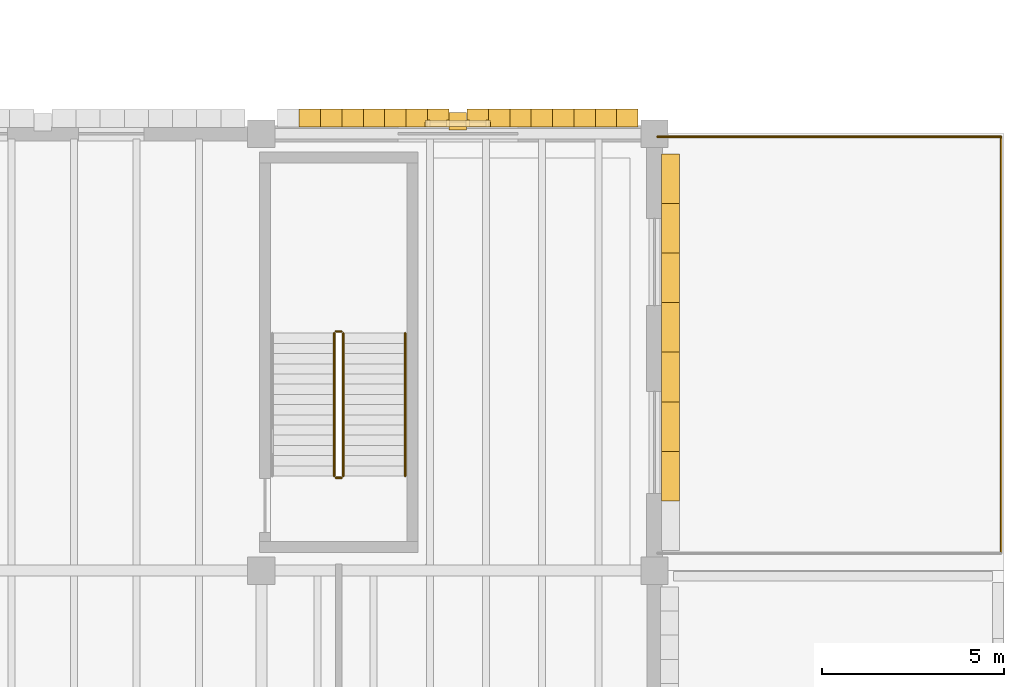
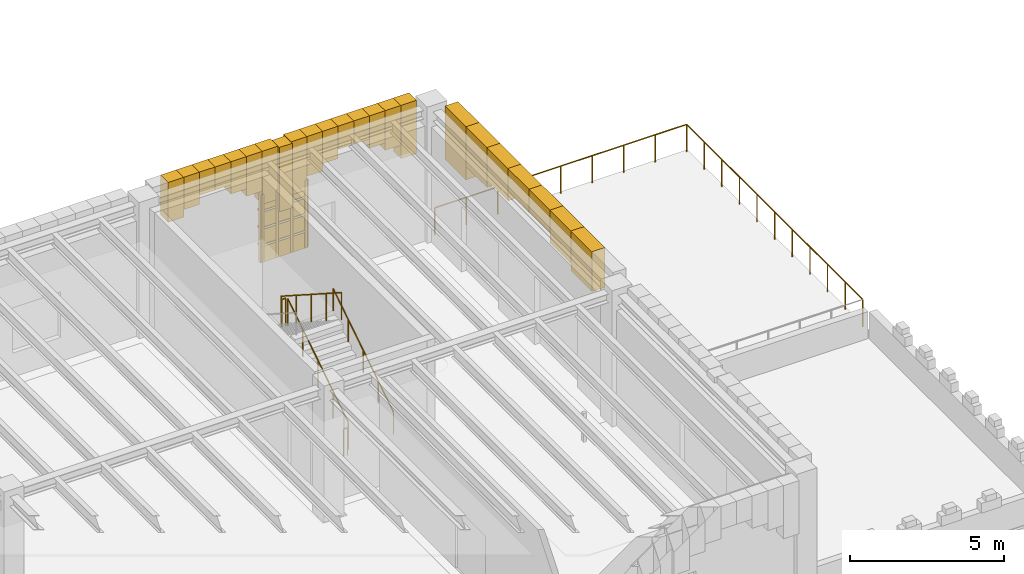
# One storey, part 96 of 103: 30 coverings, 7 railings, 1 shading device.
"""IFC4 building model written with IfcOpenShell, lengths in metres."""

from ifc_helpers import new_model, si_unit, direction, frame, origin, origin_2d, place, context, subcontext, project, spatial, polyline, rectangle, circle, outline, extrude, material, layer, layer_set, type_object, element, save


model = new_model("IFC4")

# Units and contexts
model_context = context("Model", 3, precision=1e-05, world=origin(), true_north=direction((0.0, 1.0)))
body_context = subcontext(model_context, "Body", "Model", "MODEL_VIEW")
ifc_project = project(units=[si_unit("LENGTHUNIT", "METRE"), si_unit("AREAUNIT", "SQUARE_METRE"), si_unit("VOLUMEUNIT", "CUBIC_METRE"), si_unit("PLANEANGLEUNIT", "RADIAN"), si_unit("MASSUNIT", "GRAM", prefix="KILO")], contexts=[model_context])

# Site, building, storey
site_placement = place(None, origin())
site = spatial("IfcSite", under=ifc_project, at=site_placement, CompositionType="ELEMENT")
building_placement = place(site_placement, origin())
building = spatial("IfcBuilding", under=site, at=building_placement, Name="Zlatogorsky Bluff Art Gallery", CompositionType="ELEMENT")
storey_placement = place(building_placement, origin())
storey = spatial("IfcBuildingStorey", under=building, at=storey_placement, Name="L00", CompositionType="ELEMENT", Elevation=0.0)

# Coverings
ifc_material_1 = material(Name="Honed Red Agra-Tone Quartzitic Sandstone", Category="masonry")
ifc_layer = layer(ifc_material_1, 0.1201171875)
ifc_layer_set = layer_set([ifc_layer], Name="Carved Sandstone Cladding CLD-02")
covering_type = type_object("IfcCoveringType", Name="Carved Sandstone Cladding CLD-02", PredefinedType="CLADDING", material=ifc_layer_set)
covering_1_placement = place(storey_placement, frame((0.0, 0.0, 2.81005859375)))
element("IfcCovering", 1, at=covering_1_placement, inside=storey, type_object=covering_type, Name="Mughal blind-arch sandstone pilaster L00.N.13.4", PredefinedType="CLADDING", context=body_context, shape_type="SweptSolid", body=[
    extrude(outline(polyline([(161.159912109375, 50.5), (161.639892578125, 50.5), (161.639892578125, 50.97998046875), (161.159912109375, 50.97998046875), (161.159912109375, 50.5)])), origin(), (0.0, 0.0, 1.0), 2.550048828125),
])
covering_2_placement = place(storey_placement, frame((0.0, 0.0, 3.78369140625)))
element("IfcCovering", 2, at=covering_2_placement, inside=storey, type_object=covering_type, Name="Pointed Mughal arch voussoir spandrel WARCH-L00-N-13-04-A.2", PredefinedType="CLADDING", context=body_context, shape_type="SweptSolid", body=[
    extrude(outline(polyline([(157.03759765625, 50.590087890625), (157.625, 50.590087890625), (157.625, 51.080078125), (157.03759765625, 51.080078125), (157.03759765625, 50.590087890625)])), origin(), (0.0, 0.0, 1.0), 1.576416015625),
])
covering_3_placement = place(storey_placement, frame((0.0, 0.0, 4.07666015625)))
element("IfcCovering", 3, at=covering_3_placement, inside=storey, type_object=covering_type, Name="Pointed Mughal arch voussoir spandrel WARCH-L00-N-13-04-A.3", PredefinedType="CLADDING", context=body_context, shape_type="SweptSolid", body=[
    extrude(outline(polyline([(157.625, 50.590087890625), (158.21240234375, 50.590087890625), (158.21240234375, 51.080078125), (157.625, 51.080078125), (157.625, 50.590087890625)])), origin(), (0.0, 0.0, 1.0), 1.283447265625),
])
covering_4_placement = place(storey_placement, frame((0.0, 0.0, 4.4453125)))
element("IfcCovering", 4, at=covering_4_placement, inside=storey, type_object=covering_type, Name="Pointed Mughal arch voussoir spandrel WARCH-L00-N-13-04-A.4", PredefinedType="CLADDING", context=body_context, shape_type="SweptSolid", body=[
    extrude(outline(polyline([(158.21240234375, 50.590087890625), (158.800048828125, 50.590087890625), (158.800048828125, 51.080078125), (158.21240234375, 51.080078125), (158.21240234375, 50.590087890625)])), origin(), (0.0, 0.0, 1.0), 0.914794921875),
])
covering_5_placement = place(storey_placement, frame((0.0, 0.0, 4.4453125)))
element("IfcCovering", 5, at=covering_5_placement, inside=storey, type_object=covering_type, Name="Pointed Mughal arch voussoir spandrel WARCH-L00-N-13-04-A.5", PredefinedType="CLADDING", context=body_context, shape_type="SweptSolid", body=[
    extrude(outline(polyline([(158.800048828125, 50.590087890625), (159.387451171875, 50.590087890625), (159.387451171875, 51.080078125), (158.800048828125, 51.080078125), (158.800048828125, 50.590087890625)])), origin(), (0.0, 0.0, 1.0), 0.914794921875),
])
covering_6_placement = place(storey_placement, frame((0.0, 0.0, 4.07666015625)))
element("IfcCovering", 6, at=covering_6_placement, inside=storey, type_object=covering_type, Name="Pointed Mughal arch voussoir spandrel WARCH-L00-N-13-04-A.6", PredefinedType="CLADDING", context=body_context, shape_type="SweptSolid", body=[
    extrude(outline(polyline([(159.387451171875, 50.590087890625), (159.97509765625, 50.590087890625), (159.97509765625, 51.080078125), (159.387451171875, 51.080078125), (159.387451171875, 50.590087890625)])), origin(), (0.0, 0.0, 1.0), 1.283447265625),
])
covering_7_placement = place(storey_placement, frame((0.0, 0.0, 3.78369140625)))
element("IfcCovering", 7, at=covering_7_placement, inside=storey, type_object=covering_type, Name="Pointed Mughal arch voussoir spandrel WARCH-L00-N-13-04-A.7", PredefinedType="CLADDING", context=body_context, shape_type="SweptSolid", body=[
    extrude(outline(polyline([(159.97509765625, 50.590087890625), (160.5625, 50.590087890625), (160.5625, 51.080078125), (159.97509765625, 51.080078125), (159.97509765625, 50.590087890625)])), origin(), (0.0, 0.0, 1.0), 1.576416015625),
])
covering_8_placement = place(storey_placement, frame((0.0, 0.0, 3.25244140625)))
element("IfcCovering", 8, at=covering_8_placement, inside=storey, type_object=covering_type, Name="Pointed Mughal arch voussoir spandrel WARCH-L00-N-13-04-A.8", PredefinedType="CLADDING", context=body_context, shape_type="SweptSolid", body=[
    extrude(outline(polyline([(160.5625, 50.590087890625), (161.14990234375, 50.590087890625), (161.14990234375, 51.080078125), (160.5625, 51.080078125), (160.5625, 50.590087890625)])), origin(), (0.0, 0.0, 1.0), 2.107666015625),
])
covering_9_placement = place(storey_placement, frame((0.0, 0.0, 3.25244140625)))
element("IfcCovering", 9, at=covering_9_placement, inside=storey, type_object=covering_type, Name="Pointed Mughal arch voussoir spandrel WARCH-L00-N-13-04-B.1", PredefinedType="CLADDING", context=body_context, shape_type="SweptSolid", body=[
    extrude(outline(polyline([(161.64990234375, 50.590087890625), (162.237548828125, 50.590087890625), (162.237548828125, 51.080078125), (161.64990234375, 51.080078125), (161.64990234375, 50.590087890625)])), origin(), (0.0, 0.0, 1.0), 2.107666015625),
])
covering_10_placement = place(storey_placement, frame((0.0, 0.0, 3.78369140625)))
element("IfcCovering", 10, at=covering_10_placement, inside=storey, type_object=covering_type, Name="Pointed Mughal arch voussoir spandrel WARCH-L00-N-13-04-B.2", PredefinedType="CLADDING", context=body_context, shape_type="SweptSolid", body=[
    extrude(outline(polyline([(162.237548828125, 50.590087890625), (162.824951171875, 50.590087890625), (162.824951171875, 51.080078125), (162.237548828125, 51.080078125), (162.237548828125, 50.590087890625)])), origin(), (0.0, 0.0, 1.0), 1.576416015625),
])
covering_11_placement = place(storey_placement, frame((0.0, 0.0, 4.07666015625)))
element("IfcCovering", 11, at=covering_11_placement, inside=storey, type_object=covering_type, Name="Pointed Mughal arch voussoir spandrel WARCH-L00-N-13-04-B.3", PredefinedType="CLADDING", context=body_context, shape_type="SweptSolid", body=[
    extrude(outline(polyline([(162.824951171875, 50.590087890625), (163.41259765625, 50.590087890625), (163.41259765625, 51.080078125), (162.824951171875, 51.080078125), (162.824951171875, 50.590087890625)])), origin(), (0.0, 0.0, 1.0), 1.283447265625),
])
covering_12_placement = place(storey_placement, frame((0.0, 0.0, 4.4453125)))
element("IfcCovering", 12, at=covering_12_placement, inside=storey, type_object=covering_type, Name="Pointed Mughal arch voussoir spandrel WARCH-L00-N-13-04-B.4", PredefinedType="CLADDING", context=body_context, shape_type="SweptSolid", body=[
    extrude(outline(polyline([(163.41259765625, 50.590087890625), (164.0, 50.590087890625), (164.0, 51.080078125), (163.41259765625, 51.080078125), (163.41259765625, 50.590087890625)])), origin(), (0.0, 0.0, 1.0), 0.914794921875),
])
covering_13_placement = place(storey_placement, frame((0.0, 0.0, 4.4453125)))
element("IfcCovering", 13, at=covering_13_placement, inside=storey, type_object=covering_type, Name="Pointed Mughal arch voussoir spandrel WARCH-L00-N-13-04-B.5", PredefinedType="CLADDING", context=body_context, shape_type="SweptSolid", body=[
    extrude(outline(polyline([(164.0, 50.590087890625), (164.58740234375, 50.590087890625), (164.58740234375, 51.080078125), (164.0, 51.080078125), (164.0, 50.590087890625)])), origin(), (0.0, 0.0, 1.0), 0.914794921875),
])
covering_14_placement = place(storey_placement, frame((0.0, 0.0, 4.07666015625)))
element("IfcCovering", 14, at=covering_14_placement, inside=storey, type_object=covering_type, Name="Pointed Mughal arch voussoir spandrel WARCH-L00-N-13-04-B.6", PredefinedType="CLADDING", context=body_context, shape_type="SweptSolid", body=[
    extrude(outline(polyline([(164.58740234375, 50.590087890625), (165.175048828125, 50.590087890625), (165.175048828125, 51.080078125), (164.58740234375, 51.080078125), (164.58740234375, 50.590087890625)])), origin(), (0.0, 0.0, 1.0), 1.283447265625),
])
covering_15_placement = place(storey_placement, frame((0.0, 0.0, 3.78369140625)))
element("IfcCovering", 15, at=covering_15_placement, inside=storey, type_object=covering_type, Name="Pointed Mughal arch voussoir spandrel WARCH-L00-N-13-04-B.7", PredefinedType="CLADDING", context=body_context, shape_type="SweptSolid", body=[
    extrude(outline(polyline([(165.175048828125, 50.590087890625), (165.762451171875, 50.590087890625), (165.762451171875, 51.080078125), (165.175048828125, 51.080078125), (165.175048828125, 50.590087890625)])), origin(), (0.0, 0.0, 1.0), 1.576416015625),
])
covering_16_placement = place(storey_placement, frame((0.0, 0.0, 3.25244140625)))
element("IfcCovering", 16, at=covering_16_placement, inside=storey, type_object=covering_type, Name="Pointed Mughal arch voussoir spandrel WARCH-L00-N-13-04-B.8", PredefinedType="CLADDING", context=body_context, shape_type="SweptSolid", body=[
    extrude(outline(polyline([(165.762451171875, 50.590087890625), (166.35009765625, 50.590087890625), (166.35009765625, 51.080078125), (165.762451171875, 51.080078125), (165.762451171875, 50.590087890625)])), origin(), (0.0, 0.0, 1.0), 2.107666015625),
])
covering_17_placement = place(storey_placement, frame((0.0, 0.0, 0.949951171875)))
element("IfcCovering", 17, at=covering_17_placement, inside=storey, type_object=covering_type, Name="Pierced sandstone jali lattice bar L00.N.13.4", PredefinedType="CLADDING", context=body_context, shape_type="SweptSolid", body=[
    extrude(outline(polyline([(160.544921875, 50.590087890625), (160.635009765625, 50.590087890625), (160.635009765625, 50.780029296875), (160.544921875, 50.780029296875), (160.544921875, 50.590087890625)])), origin(), (0.0, 0.0, 1.0), 2.699951171875),
])
covering_18_placement = place(storey_placement, frame((0.0, 0.0, 0.949951171875)))
element("IfcCovering", 18, at=covering_18_placement, inside=storey, type_object=covering_type, Name="Pierced sandstone jali lattice bar L00.N.13.4", PredefinedType="CLADDING", context=body_context, shape_type="SweptSolid", body=[
    extrude(outline(polyline([(161.0849609375, 50.590087890625), (161.175048828125, 50.590087890625), (161.175048828125, 50.780029296875), (161.0849609375, 50.780029296875), (161.0849609375, 50.590087890625)])), origin(), (0.0, 0.0, 1.0), 2.699951171875),
])
covering_19_placement = place(storey_placement, frame((0.0, 0.0, 0.949951171875)))
element("IfcCovering", 19, at=covering_19_placement, inside=storey, type_object=covering_type, Name="Pierced sandstone jali lattice bar L00.N.13.4", PredefinedType="CLADDING", context=body_context, shape_type="SweptSolid", body=[
    extrude(outline(polyline([(161.625, 50.590087890625), (161.715087890625, 50.590087890625), (161.715087890625, 50.780029296875), (161.625, 50.780029296875), (161.625, 50.590087890625)])), origin(), (0.0, 0.0, 1.0), 2.699951171875),
])
covering_20_placement = place(storey_placement, frame((0.0, 0.0, 0.949951171875)))
element("IfcCovering", 20, at=covering_20_placement, inside=storey, type_object=covering_type, Name="Pierced sandstone jali lattice bar L00.N.13.4", PredefinedType="CLADDING", context=body_context, shape_type="SweptSolid", body=[
    extrude(outline(polyline([(162.1650390625, 50.590087890625), (162.2548828125, 50.590087890625), (162.2548828125, 50.780029296875), (162.1650390625, 50.780029296875), (162.1650390625, 50.590087890625)])), origin(), (0.0, 0.0, 1.0), 2.699951171875),
])
for number, where, name in (
    (21, (0.0, 0.0, 1.5849609375), "Pierced sandstone jali lattice transom L00.N.13.4"),
    (22, (0.0, 0.0, 2.260009765625), "Pierced sandstone jali lattice transom L00.N.13.4"),
):
    element("IfcCovering", number, at=place(storey_placement, frame(where)), inside=storey, type_object=covering_type, Name=name, PredefinedType="CLADDING", context=body_context, shape_type="SweptSolid", body=[
        extrude(outline(polyline([(160.5, 50.590087890625), (162.300048828125, 50.590087890625), (162.300048828125, 50.780029296875), (160.5, 50.780029296875), (160.5, 50.590087890625)])), origin(), (0.0, 0.0, 1.0), 0.080078125),
    ])
covering_21_placement = place(storey_placement, frame((0.0, 0.0, 2.93505859375)))
element("IfcCovering", 23, at=covering_21_placement, inside=storey, type_object=covering_type, Name="Pierced sandstone jali lattice transom L00.N.13.4", PredefinedType="CLADDING", context=body_context, shape_type="SweptSolid", body=[
    extrude(outline(polyline([(160.5, 50.590087890625), (162.300048828125, 50.590087890625), (162.300048828125, 50.780029296875), (160.5, 50.780029296875), (160.5, 50.590087890625)])), origin(), (0.0, 0.0, 1.0), 0.079833984375),
])
covering_22_placement = place(storey_placement, frame((0.0, 0.0, 3.78369140625)))
element("IfcCovering", 24, at=covering_22_placement, inside=storey, type_object=covering_type, Name="Pointed Mughal arch voussoir spandrel WARCH-L00-E-13-04-A.2", PredefinedType="CLADDING", context=body_context, shape_type="SweptSolid", body=[
    extrude(outline(polyline([(166.989990234375, 40.3125), (166.989990234375, 41.675048828125), (167.47998046875, 41.675048828125), (167.47998046875, 40.3125), (166.989990234375, 40.3125)])), origin(), (0.0, 0.0, 1.0), 1.576416015625),
])
covering_23_placement = place(storey_placement, frame((0.0, 0.0, 4.07666015625)))
element("IfcCovering", 25, at=covering_23_placement, inside=storey, type_object=covering_type, Name="Pointed Mughal arch voussoir spandrel WARCH-L00-E-13-04-A.3", PredefinedType="CLADDING", context=body_context, shape_type="SweptSolid", body=[
    extrude(outline(polyline([(166.989990234375, 41.675048828125), (166.989990234375, 43.03759765625), (167.47998046875, 43.03759765625), (167.47998046875, 41.675048828125), (166.989990234375, 41.675048828125)])), origin(), (0.0, 0.0, 1.0), 1.283447265625),
])
covering_24_placement = place(storey_placement, frame((0.0, 0.0, 4.4453125)))
element("IfcCovering", 26, at=covering_24_placement, inside=storey, type_object=covering_type, Name="Pointed Mughal arch voussoir spandrel WARCH-L00-E-13-04-A.4", PredefinedType="CLADDING", context=body_context, shape_type="SweptSolid", body=[
    extrude(outline(polyline([(166.989990234375, 43.03759765625), (166.989990234375, 44.39990234375), (167.47998046875, 44.39990234375), (167.47998046875, 43.03759765625), (166.989990234375, 43.03759765625)])), origin(), (0.0, 0.0, 1.0), 0.914794921875),
])
covering_25_placement = place(storey_placement, frame((0.0, 0.0, 4.4453125)))
element("IfcCovering", 27, at=covering_25_placement, inside=storey, type_object=covering_type, Name="Pointed Mughal arch voussoir spandrel WARCH-L00-E-13-04-A.5", PredefinedType="CLADDING", context=body_context, shape_type="SweptSolid", body=[
    extrude(outline(polyline([(166.989990234375, 44.39990234375), (166.989990234375, 45.762451171875), (167.47998046875, 45.762451171875), (167.47998046875, 44.39990234375), (166.989990234375, 44.39990234375)])), origin(), (0.0, 0.0, 1.0), 0.914794921875),
])
covering_26_placement = place(storey_placement, frame((0.0, 0.0, 4.07666015625)))
element("IfcCovering", 28, at=covering_26_placement, inside=storey, type_object=covering_type, Name="Pointed Mughal arch voussoir spandrel WARCH-L00-E-13-04-A.6", PredefinedType="CLADDING", context=body_context, shape_type="SweptSolid", body=[
    extrude(outline(polyline([(166.989990234375, 45.762451171875), (166.989990234375, 47.125), (167.47998046875, 47.125), (167.47998046875, 45.762451171875), (166.989990234375, 45.762451171875)])), origin(), (0.0, 0.0, 1.0), 1.283447265625),
])
covering_27_placement = place(storey_placement, frame((0.0, 0.0, 3.78369140625)))
element("IfcCovering", 29, at=covering_27_placement, inside=storey, type_object=covering_type, Name="Pointed Mughal arch voussoir spandrel WARCH-L00-E-13-04-A.7", PredefinedType="CLADDING", context=body_context, shape_type="SweptSolid", body=[
    extrude(outline(polyline([(166.989990234375, 47.125), (166.989990234375, 48.487548828125), (167.47998046875, 48.487548828125), (167.47998046875, 47.125), (166.989990234375, 47.125)])), origin(), (0.0, 0.0, 1.0), 1.576416015625),
])
covering_28_placement = place(storey_placement, frame((0.0, 0.0, 3.25244140625)))
element("IfcCovering", 30, at=covering_28_placement, inside=storey, type_object=covering_type, Name="Pointed Mughal arch voussoir spandrel WARCH-L00-E-13-04-A.8", PredefinedType="CLADDING", context=body_context, shape_type="SweptSolid", body=[
    extrude(outline(polyline([(166.989990234375, 48.487548828125), (166.989990234375, 49.85009765625), (167.47998046875, 49.85009765625), (167.47998046875, 48.487548828125), (166.989990234375, 48.487548828125)])), origin(), (0.0, 0.0, 1.0), 2.107666015625),
])

# Railings
ifc_material_2 = material(Name="Architectural Bronze and Laminated Glass", Category="glass")
railing_type_1 = type_object("IfcRailingType", Name="Gallery Guard Rail 1100mm", PredefinedType="GUARDRAIL", material=ifc_material_2)
railing_1_placement = place(storey_placement, frame((176.320068359375, 50.320068359375, 0.0)))
element("IfcRailing", 31, at=railing_1_placement, inside=storey, type_object=railing_type_1, Name="Sculpture terrace balustrade TERR-L00-02.1", PredefinedType="GUARDRAIL", context=body_context, shape_type="SweptSolid", body=[
    extrude(circle(Radius=0.02392578125, at=origin_2d()), frame((0.0, 0.0, 1.076171875), z_axis=(0.0, -1.0, 0.0), x_axis=(1.0, 0.0, 0.0)), (0.0, 0.0, 1.0), 11.440185546875),
    extrude(circle(Radius=0.02099609375, at=origin_2d()), origin(), (0.0, 0.0, 1.0), 1.052001953125),
    extrude(circle(Radius=0.02099609375, at=origin_2d()), frame((0.0, -1.14404296875, 0.0)), (0.0, 0.0, 1.0), 1.052001953125),
    extrude(circle(Radius=0.02099609375, at=origin_2d()), frame((0.0, -2.2880859375, 0.0)), (0.0, 0.0, 1.0), 1.052001953125),
    extrude(circle(Radius=0.02099609375, at=origin_2d()), frame((0.0, -3.43212890625, 0.0)), (0.0, 0.0, 1.0), 1.052001953125),
    extrude(circle(Radius=0.02099609375, at=origin_2d()), frame((0.0, -4.576171875, 0.0)), (0.0, 0.0, 1.0), 1.052001953125),
    extrude(circle(Radius=0.02099609375, at=origin_2d()), frame((0.0, -5.72021484375, 0.0)), (0.0, 0.0, 1.0), 1.052001953125),
    extrude(circle(Radius=0.02099609375, at=origin_2d()), frame((0.0, -6.864013671875, 0.0)), (0.0, 0.0, 1.0), 1.052001953125),
    extrude(circle(Radius=0.02099609375, at=origin_2d()), frame((0.0, -8.008056640625, 0.0)), (0.0, 0.0, 1.0), 1.052001953125),
    extrude(circle(Radius=0.02099609375, at=origin_2d()), frame((0.0, -9.152099609375, 0.0)), (0.0, 0.0, 1.0), 1.052001953125),
    extrude(circle(Radius=0.02099609375, at=origin_2d()), frame((0.0, -10.296142578125, 0.0)), (0.0, 0.0, 1.0), 1.052001953125),
    extrude(circle(Radius=0.02099609375, at=origin_2d()), frame((0.0, -11.440185546875, 0.0)), (0.0, 0.0, 1.0), 1.052001953125),
])
railing_2_placement = place(storey_placement, frame((166.8798828125, 50.320068359375, 0.0)))
element("IfcRailing", 32, at=railing_2_placement, inside=storey, type_object=railing_type_1, Name="Sculpture terrace balustrade TERR-L00-02.4", PredefinedType="GUARDRAIL", context=body_context, shape_type="SweptSolid", body=[
    extrude(circle(Radius=0.02392578125, at=origin_2d()), frame((0.0, 0.0, 1.076171875), z_axis=(1.0, 0.0, 0.0), x_axis=(0.0, 1.0, 0.0)), (0.0, 0.0, 1.0), 9.440185546875),
    extrude(circle(Radius=0.02099609375, at=origin_2d()), origin(), (0.0, 0.0, 1.0), 1.052001953125),
    extrude(circle(Radius=0.02099609375, at=origin_2d()), frame((1.179931640625, 0.0, 0.0)), (0.0, 0.0, 1.0), 1.052001953125),
    extrude(circle(Radius=0.02099609375, at=origin_2d()), frame((2.360107421875, 0.0, 0.0)), (0.0, 0.0, 1.0), 1.052001953125),
    extrude(circle(Radius=0.02099609375, at=origin_2d()), frame((3.5400390625, 0.0, 0.0)), (0.0, 0.0, 1.0), 1.052001953125),
    extrude(circle(Radius=0.02099609375, at=origin_2d()), frame((4.72021484375, 0.0, 0.0)), (0.0, 0.0, 1.0), 1.052001953125),
    extrude(circle(Radius=0.02099609375, at=origin_2d()), frame((5.900146484375, 0.0, 0.0)), (0.0, 0.0, 1.0), 1.052001953125),
    extrude(circle(Radius=0.02099609375, at=origin_2d()), frame((7.080078125, 0.0, 0.0)), (0.0, 0.0, 1.0), 1.052001953125),
    extrude(circle(Radius=0.02099609375, at=origin_2d()), frame((8.26025390625, 0.0, 0.0)), (0.0, 0.0, 1.0), 1.052001953125),
    extrude(circle(Radius=0.02099609375, at=origin_2d()), frame((9.440185546875, 0.0, 0.0)), (0.0, 0.0, 1.0), 1.052001953125),
])
railing_3_placement = place(storey_placement, frame((158.25, 41.0, 0.179931640625)))
element("IfcRailing", 33, at=railing_3_placement, inside=storey, type_object=railing_type_1, Name="L00 ST-10 stair guard 1", PredefinedType="GUARDRAIL", context=body_context, shape_type="SweptSolid", body=[
    extrude(circle(Radius=0.02392578125, at=origin_2d()), frame((0.0, 0.0, 1.076171875), z_axis=(0.0, 0.841171666519, 0.540768182723), x_axis=(-1.0, 0.0, 0.0)), (0.0, 0.0, 1.0), 4.66015625),
    extrude(circle(Radius=0.02099609375, at=origin_2d()), origin(), (0.0, 0.0, 1.0), 1.052001953125),
    extrude(circle(Radius=0.02099609375, at=origin_2d()), frame((0.0, 0.97998046875, 0.6298828125)), (0.0, 0.0, 1.0), 1.052001953125),
    extrude(circle(Radius=0.02099609375, at=origin_2d()), frame((0.0, 1.9599609375, 1.260009765625)), (0.0, 0.0, 1.0), 1.052001953125),
    extrude(circle(Radius=0.02099609375, at=origin_2d()), frame((0.0, 2.93994140625, 1.89013671875)), (0.0, 0.0, 1.0), 1.052001953125),
    extrude(circle(Radius=0.02099609375, at=origin_2d()), frame((0.0, 3.919921875, 2.52001953125)), (0.0, 0.0, 1.0), 1.052001953125),
])
railing_4_placement = place(storey_placement, frame((158.199951171875, 44.969970703125, 2.699951171875)))
element("IfcRailing", 34, at=railing_4_placement, inside=storey, type_object=railing_type_1, Name="L00 ST-10 stair guard 2", PredefinedType="GUARDRAIL", context=body_context, shape_type="SweptSolid", body=[
    extrude(circle(Radius=0.02392578125, at=origin_2d()), frame((0.0, 0.0, 1.076171875), z_axis=(-1.0, 0.0, 0.0), x_axis=(0.0, -1.0, 0.0)), (0.0, 0.0, 1.0), 0.14990234375),
    extrude(circle(Radius=0.02099609375, at=origin_2d()), origin(), (0.0, 0.0, 1.0), 1.052001953125),
    extrude(circle(Radius=0.02099609375, at=origin_2d()), frame((-0.14990234375, 0.0, 0.0)), (0.0, 0.0, 1.0), 1.052001953125),
])
railing_5_placement = place(storey_placement, frame((158.0, 44.919921875, 2.8798828125)))
element("IfcRailing", 35, at=railing_5_placement, inside=storey, type_object=railing_type_1, Name="L00 ST-10 stair guard 3", PredefinedType="GUARDRAIL", context=body_context, shape_type="SweptSolid", body=[
    extrude(circle(Radius=0.02392578125, at=origin_2d()), frame((0.0, 0.0, 1.076171875), z_axis=(0.0, -0.841171666519, 0.540768182723), x_axis=(1.0, 0.0, 0.0)), (0.0, 0.0, 1.0), 4.66015625),
    extrude(circle(Radius=0.02099609375, at=origin_2d()), origin(), (0.0, 0.0, 1.0), 1.052001953125),
    extrude(circle(Radius=0.02099609375, at=origin_2d()), frame((0.0, -0.97998046875, 0.6298828125)), (0.0, 0.0, 1.0), 1.052001953125),
    extrude(circle(Radius=0.02099609375, at=origin_2d()), frame((0.0, -1.9599609375, 1.260009765625)), (0.0, 0.0, 1.0), 1.052001953125),
    extrude(circle(Radius=0.02099609375, at=origin_2d()), frame((0.0, -2.93994140625, 1.89013671875)), (0.0, 0.0, 1.0), 1.052001953125),
    extrude(circle(Radius=0.02099609375, at=origin_2d()), frame((0.0, -3.919921875, 2.52001953125)), (0.0, 0.0, 1.0), 1.052001953125),
])
railing_6_placement = place(storey_placement, frame((158.199951171875, 40.949951171875, 0.0)))
element("IfcRailing", 36, at=railing_6_placement, inside=storey, type_object=railing_type_1, Name="L00 ST-10 stair guard 4", PredefinedType="GUARDRAIL", context=body_context, shape_type="SweptSolid", body=[
    extrude(circle(Radius=0.02392578125, at=origin_2d()), frame((0.0, 0.0, 1.076171875), z_axis=(-1.0, 0.0, 0.0), x_axis=(0.0, -1.0, 0.0)), (0.0, 0.0, 1.0), 0.14990234375),
    extrude(circle(Radius=0.02099609375, at=origin_2d()), origin(), (0.0, 0.0, 1.0), 1.052001953125),
    extrude(circle(Radius=0.02099609375, at=origin_2d()), frame((-0.14990234375, 0.0, 0.0)), (0.0, 0.0, 1.0), 1.052001953125),
])

# Shading device
ifc_material_3 = material(Name="CNC-Pierced Red Quartzitic Sandstone Jali", Category="masonry")
shading_device_type = type_object("IfcShadingDeviceType", Name="Pierced Stone Jali Screen JAL-02", PredefinedType="JALOUSIE", material=ifc_material_3)
shading_device_placement = place(storey_placement, frame((161.39990234375, 50.659912109375, 0.9501953125), z_axis=(0.0, 0.0, 1.0), x_axis=(1.0, 0.0, 0.0)))
element("IfcShadingDevice", 37, at=shading_device_placement, inside=storey, type_object=shading_device_type, Name="Pierced stone jali screen JAL-02", PredefinedType="JALOUSIE", context=body_context, shape_type="SweptSolid", body=[
    extrude(rectangle(XDim=1.800048828125, YDim=0.1201171875, at=origin_2d()), origin(), (0.0, 0.0, 1.0), 2.699951171875),
])

# Railing
ifc_material_4 = material(Name="Brushed Stainless Steel", Category="steel")
railing_type_2 = type_object("IfcRailingType", Name="Stair Pitch Handrail 900mm", PredefinedType="HANDRAIL", material=ifc_material_4)
railing_7_placement = place(storey_placement, frame((159.949951171875, 41.0, 0.179931640625)))
element("IfcRailing", 38, at=railing_7_placement, inside=storey, type_object=railing_type_2, Name="L00 ST-10 stair handrail 1", PredefinedType="HANDRAIL", context=body_context, shape_type="SweptSolid", body=[
    extrude(circle(Radius=0.02392578125, at=origin_2d()), frame((0.0, 0.0, 0.8759765625), z_axis=(0.0, 0.841171666519, 0.540768182723), x_axis=(-1.0, 0.0, 0.0)), (0.0, 0.0, 1.0), 4.66015625),
    extrude(circle(Radius=0.02099609375, at=origin_2d()), origin(), (0.0, 0.0, 1.0), 0.851806640625),
    extrude(circle(Radius=0.02099609375, at=origin_2d()), frame((0.0, 0.97998046875, 0.6298828125)), (0.0, 0.0, 1.0), 0.851806640625),
    extrude(circle(Radius=0.02099609375, at=origin_2d()), frame((0.0, 1.9599609375, 1.260009765625)), (0.0, 0.0, 1.0), 0.851806640625),
    extrude(circle(Radius=0.02099609375, at=origin_2d()), frame((0.0, 2.93994140625, 1.89013671875)), (0.0, 0.0, 1.0), 0.851806640625),
    extrude(circle(Radius=0.02099609375, at=origin_2d()), frame((0.0, 3.919921875, 2.52001953125)), (0.0, 0.0, 1.0), 0.851806640625),
])

save(model, "model.ifc")
